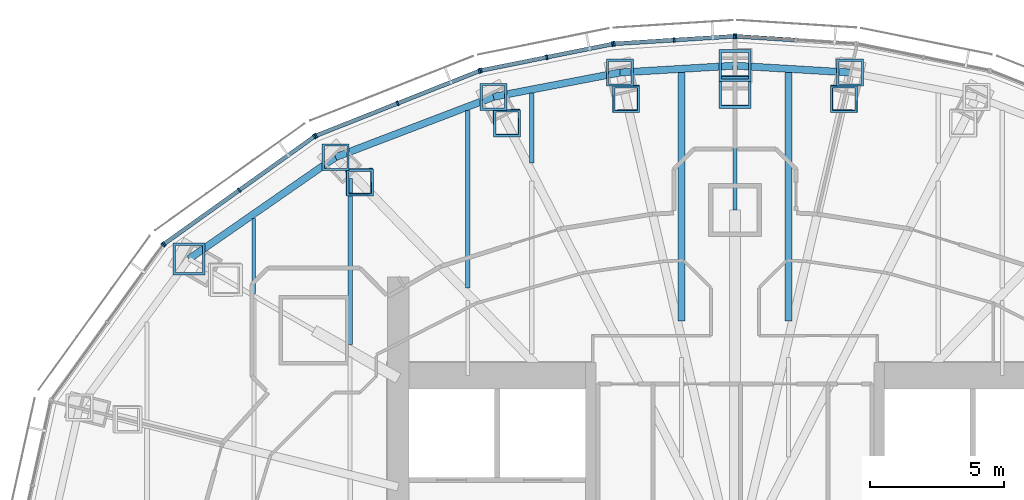
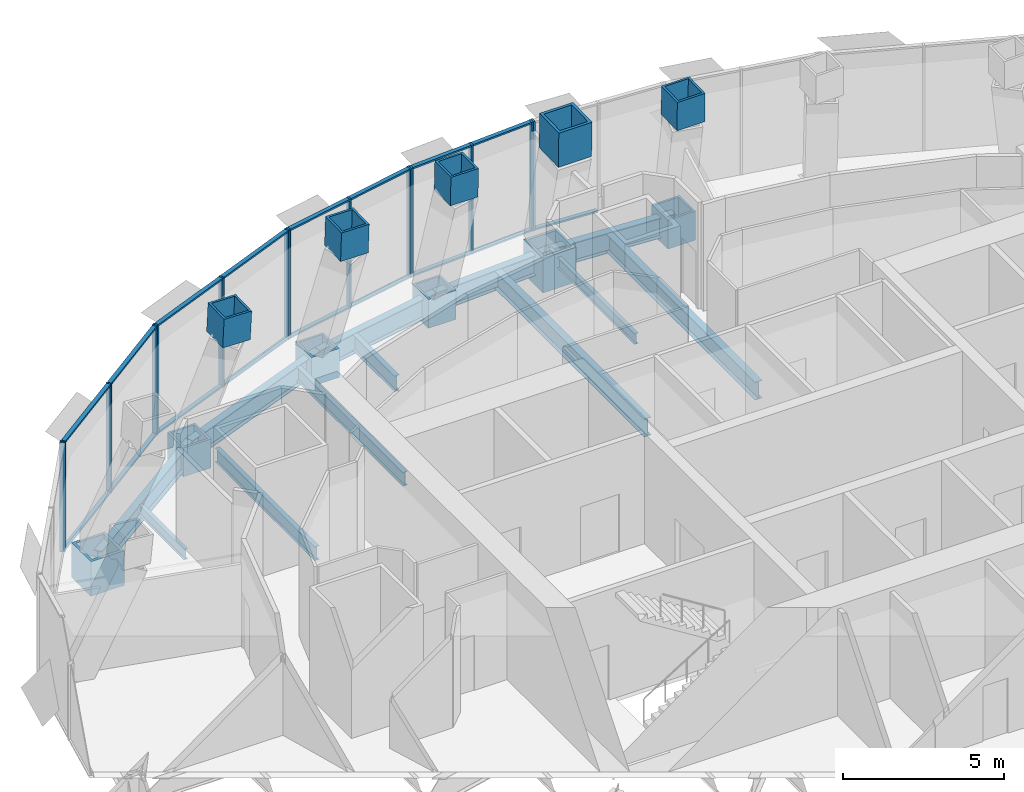
# One storey, part 8 of 18: 42 members, 12 beams, 6 elements without a shape of their own.
"""IFC4 building model written with IfcOpenShell, lengths in metres."""

from ifc_helpers import new_model, si_unit, direction, frame, origin, origin_2d, place, context, subcontext, project, spatial, rectangle, hollow_rectangle, i_section, extrude, material, material_profile, profile_set, type_object, element, aggregate, save


model = new_model("IFC4")

# Units and contexts
model_context = context("Model", 3, precision=1e-05, world=origin(), true_north=direction((0.0, 1.0)))
body_context = subcontext(model_context, "Body", "Model", "MODEL_VIEW")
ifc_project = project(units=[si_unit("LENGTHUNIT", "METRE"), si_unit("AREAUNIT", "SQUARE_METRE"), si_unit("VOLUMEUNIT", "CUBIC_METRE"), si_unit("PLANEANGLEUNIT", "RADIAN"), si_unit("MASSUNIT", "GRAM", prefix="KILO")], contexts=[model_context])

# Site, building, storey
site_placement = place(None, origin())
site = spatial("IfcSite", under=ifc_project, at=site_placement, CompositionType="ELEMENT")
building_placement = place(site_placement, origin())
building = spatial("IfcBuilding", under=site, at=building_placement, Name="Lantaw Convention Tower", CompositionType="ELEMENT")
storey_placement = place(building_placement, frame((0.0, 0.0, 266.199951171875)))
storey = spatial("IfcBuildingStorey", under=building, at=storey_placement, Name="L62", CompositionType="ELEMENT", Elevation=266.199951171875)

# Beams
ifc_material_1 = material(Name="Steel ASTM A992", Category="steel")
ifc_material_profile_1 = material_profile(ifc_material_1, i_section(OverallWidth=0.2666015625, OverallDepth=0.76953125, WebThickness=0.015625, FlangeThickness=0.025390625, FilletRadius=0.0126953125, at=origin_2d()), Name="W30X132")
ifc_profile_set_1 = profile_set([ifc_material_profile_1], Name="Steel ASTM A992")
beam_type_1 = type_object("IfcBeamType", Name="Beam E W30X132", PredefinedType="SPANDREL", material=ifc_profile_set_1)
for number, where, z_axis, x_axis, name in (
    (1, (4.303955078125, 18.64208984375, -0.53466796875), (-0.998210730897, 0.059794119452, 0.0), (-0.059794119452, -0.998210730897, 0.0), "Edge beam 6"),
    (2, (0.0, 18.89990234375, -0.53466796875), (-0.998210730897, -0.059794119452, 0.0), (0.059794119452, -0.998210730897, 0.0), "Edge beam 7"),
):
    element("IfcBeam", number, at=place(storey_placement, frame(where, z_axis=z_axis, x_axis=x_axis)), inside=storey, type_object=beam_type_1, Name=name, PredefinedType="SPANDREL", context=body_context, shape_type="SweptSolid", body=[
        extrude(i_section(OverallWidth=0.2666015625, OverallDepth=0.76953125, WebThickness=0.015625, FlangeThickness=0.025390625, FilletRadius=0.0126953125, at=origin_2d()), origin(), (0.0, 0.0, 1.0), 4.311767578125),
    ])
beam_1_placement = place(storey_placement, frame((-4.303955078125, 18.64208984375, -0.53466796875), z_axis=(-0.981972091702, -0.189025953556, 0.0), x_axis=(0.189025953556, -0.981972091702, 0.0)))
element("IfcBeam", 3, at=beam_1_placement, inside=storey, type_object=beam_type_1, Name="Edge beam 8", PredefinedType="SPANDREL", context=body_context, shape_type="SweptSolid", body=[
    extrude(i_section(OverallWidth=0.2666015625, OverallDepth=0.76953125, WebThickness=0.015625, FlangeThickness=0.025390625, FilletRadius=0.0126953125, at=origin_2d()), origin(), (0.0, 0.0, 1.0), 4.817626953125),
])
beam_2_placement = place(storey_placement, frame((-9.03466796875, 17.7314453125, -0.53466796875), z_axis=(-0.934234988, -0.356658081637, 0.0), x_axis=(0.356658081637, -0.934234988, 0.0)))
element("IfcBeam", 4, at=beam_2_placement, inside=storey, type_object=beam_type_1, Name="Edge beam 9", PredefinedType="SPANDREL", context=body_context, shape_type="SweptSolid", body=[
    extrude(i_section(OverallWidth=0.2666015625, OverallDepth=0.76953125, WebThickness=0.015625, FlangeThickness=0.025390625, FilletRadius=0.0126953125, at=origin_2d()), origin(), (0.0, 0.0, 1.0), 6.32568359375),
])
beam_3_placement = place(storey_placement, frame((-14.9443359375, 15.475341796875, -0.53466796875), z_axis=(-0.82135329406, -0.570419815869, 0.0), x_axis=(0.570419815869, -0.82135329406, 0.0)))
element("IfcBeam", 5, at=beam_3_placement, inside=storey, type_object=beam_type_1, Name="Edge beam 10", PredefinedType="SPANDREL", context=body_context, shape_type="SweptSolid", body=[
    extrude(i_section(OverallWidth=0.2666015625, OverallDepth=0.76953125, WebThickness=0.015625, FlangeThickness=0.025390625, FilletRadius=0.0126953125, at=origin_2d()), origin(), (0.0, 0.0, 1.0), 6.67041015625),
])
ifc_material_profile_2 = material_profile(ifc_material_1, i_section(OverallWidth=0.140380859375, OverallDepth=0.40380859375, WebThickness=0.007080078125, FlangeThickness=0.01123046875, FilletRadius=0.01025390625, at=origin_2d()), Name="W16X31")
ifc_profile_set_2 = profile_set([ifc_material_profile_2], Name="Steel ASTM A992")
beam_type_2 = type_object("IfcBeamType", Name="Beam G W16X31", PredefinedType="BEAM", material=ifc_profile_set_2)
beam_4_placement = place(storey_placement, frame((0.0, 13.5, -0.351806640625), z_axis=(0.0, 1.0, 0.0), x_axis=(-1.0, 0.0, 0.0)))
element("IfcBeam", 6, at=beam_4_placement, inside=storey, type_object=beam_type_2, Name="Floor girder on ray 7", PredefinedType="BEAM", context=body_context, shape_type="SweptSolid", body=[
    extrude(i_section(OverallWidth=0.140380859375, OverallDepth=0.40380859375, WebThickness=0.007080078125, FlangeThickness=0.01123046875, FilletRadius=0.01025390625, at=origin_2d()), origin(), (0.0, 0.0, 1.0), 5.39990234375),
])
ifc_material_profile_3 = material_profile(ifc_material_1, i_section(OverallWidth=0.140380859375, OverallDepth=0.40380859375, WebThickness=0.007080078125, FlangeThickness=0.01123046875, FilletRadius=0.01025390625, at=origin_2d()), Name="W16X31")
ifc_profile_set_3 = profile_set([ifc_material_profile_3], Name="Steel ASTM A992")
beam_type_3 = type_object("IfcBeamType", Name="Beam J W16X31", PredefinedType="JOIST", material=ifc_profile_set_3)
beam_5_placement = place(storey_placement, frame((-18.0, 10.380859375, -0.351806640625), z_axis=(0.0, 1.0, 0.0), x_axis=(-1.0, 0.0, 0.0)))
element("IfcBeam", 7, at=beam_5_placement, inside=storey, type_object=beam_type_3, Name="Floor joist", PredefinedType="JOIST", context=body_context, shape_type="SweptSolid", body=[
    extrude(i_section(OverallWidth=0.140380859375, OverallDepth=0.40380859375, WebThickness=0.007080078125, FlangeThickness=0.01123046875, FilletRadius=0.01025390625, at=origin_2d()), origin(), (0.0, 0.0, 1.0), 2.81005859375),
])
ifc_material_profile_4 = material_profile(ifc_material_1, i_section(OverallWidth=0.1650390625, OverallDepth=0.52587890625, WebThickness=0.0087890625, FlangeThickness=0.011474609375, FilletRadius=0.0126953125, at=origin_2d()), Name="W21X44")
ifc_profile_set_4 = profile_set([ifc_material_profile_4], Name="Steel ASTM A992")
beam_type_4 = type_object("IfcBeamType", Name="Beam J W21X44", PredefinedType="JOIST", material=ifc_profile_set_4)
beam_6_placement = place(storey_placement, frame((-14.39990234375, 8.461181640625, -0.412841796875), z_axis=(0.0, 1.0, 0.0), x_axis=(-1.0, 0.0, 0.0)))
element("IfcBeam", 8, at=beam_6_placement, inside=storey, type_object=beam_type_4, Name="Floor joist", PredefinedType="JOIST", context=body_context, shape_type="SweptSolid", body=[
    extrude(i_section(OverallWidth=0.1650390625, OverallDepth=0.52587890625, WebThickness=0.0087890625, FlangeThickness=0.011474609375, FilletRadius=0.0126953125, at=origin_2d()), origin(), (0.0, 0.0, 1.0), 6.214599609375),
])
beam_7_placement = place(storey_placement, frame((-10.0, 10.591064453125, -0.412841796875), z_axis=(0.0, 1.0, 0.0), x_axis=(-1.0, 0.0, 0.0)))
element("IfcBeam", 9, at=beam_7_placement, inside=storey, type_object=beam_type_4, Name="Floor joist", PredefinedType="JOIST", context=body_context, shape_type="SweptSolid", body=[
    extrude(i_section(OverallWidth=0.1650390625, OverallDepth=0.52587890625, WebThickness=0.0087890625, FlangeThickness=0.011474609375, FilletRadius=0.0126953125, at=origin_2d()), origin(), (0.0, 0.0, 1.0), 6.629150390625),
])
ifc_material_profile_5 = material_profile(ifc_material_1, i_section(OverallWidth=0.177978515625, OverallDepth=0.599365234375, WebThickness=0.010009765625, FlangeThickness=0.012939453125, FilletRadius=0.012939453125, at=origin_2d()), Name="W24X55")
ifc_profile_set_5 = profile_set([ifc_material_profile_5], Name="Steel ASTM A992")
beam_type_5 = type_object("IfcBeamType", Name="Beam J W24X55", PredefinedType="JOIST", material=ifc_profile_set_5)
beam_8_placement = place(storey_placement, frame((-7.60009765625, 15.25439453125, -0.44970703125), z_axis=(0.0, 1.0, 0.0), x_axis=(-1.0, 0.0, 0.0)))
element("IfcBeam", 10, at=beam_8_placement, inside=storey, type_object=beam_type_5, Name="Floor joist", PredefinedType="JOIST", context=body_context, shape_type="SweptSolid", body=[
    extrude(i_section(OverallWidth=0.177978515625, OverallDepth=0.599365234375, WebThickness=0.010009765625, FlangeThickness=0.012939453125, FilletRadius=0.012939453125, at=origin_2d()), origin(), (0.0, 0.0, 1.0), 2.617431640625),
])
ifc_material_profile_6 = material_profile(ifc_material_1, i_section(OverallWidth=0.25390625, OverallDepth=0.683349609375, WebThickness=0.012451171875, FlangeThickness=0.01904296875, FilletRadius=0.01513671875, at=origin_2d()), Name="W27X94")
ifc_profile_set_6 = profile_set([ifc_material_profile_6], Name="Steel ASTM A992")
beam_type_6 = type_object("IfcBeamType", Name="Beam J W27X94", PredefinedType="JOIST", material=ifc_profile_set_6)
for number, where, z_axis, x_axis, name in (
    (11, (-2.0, 9.34619140625, -0.49169921875), (0.0, 1.0, 0.0), (-1.0, 0.0, 0.0), "Floor joist"),
    (12, (2.0, 9.34619140625, -0.49169921875), (0.0, 1.0, 0.0), (-1.0, 0.0, 0.0), "Floor joist"),
):
    element("IfcBeam", number, at=place(storey_placement, frame(where, z_axis=z_axis, x_axis=x_axis)), inside=storey, type_object=beam_type_6, Name=name, PredefinedType="JOIST", context=body_context, shape_type="SweptSolid", body=[
        extrude(i_section(OverallWidth=0.25390625, OverallDepth=0.683349609375, WebThickness=0.012451171875, FlangeThickness=0.01904296875, FilletRadius=0.01513671875, at=origin_2d()), origin(), (0.0, 0.0, 1.0), 9.30029296875),
    ])

# Curtain wall, member
ifc_material_2 = material(Name="Aluminium framed curtain wall", Category="aluminium")
curtain_wall_type = type_object("IfcCurtainWallType", Name="Office curtain wall high rise, pale aluminium", PredefinedType="USERDEFINED", material=ifc_material_2)
curtain_wall_1_placement = place(storey_placement, origin())
curtain_wall_1 = element("IfcCurtainWall", 13, at=curtain_wall_1_placement, inside=storey, type_object=curtain_wall_type, Name="Office curtain wall high rise, pale aluminium L62", ObjectType="UNITISED CURTAIN WALL", PredefinedType="USERDEFINED")
ifc_material_3 = material(Name="Aluminium 6063-T6", Category="aluminium")
ifc_material_profile_7 = material_profile(ifc_material_3, rectangle(XDim=0.179931640625, YDim=0.06494140625, at=origin_2d()), Name="CW-O2 mullion 65x180")
ifc_profile_set_7 = profile_set([ifc_material_profile_7], Name="Aluminium 6063-T6")
member_type_1 = type_object("IfcMemberType", Name="CW-O2 mullion 65x180", PredefinedType="MULLION", material=ifc_profile_set_7)
member_1_placement = place(storey_placement, frame((0.032470703125, 19.998046875, -0.14990234375), z_axis=(0.0, 0.0, 1.0), x_axis=(-0.062757983884, -0.998028774865, 0.0)))
member_1 = element("IfcMember", 14, at=member_1_placement, type_object=member_type_1, Name="CW-O2 mullion 3", PredefinedType="MULLION", context=body_context, shape_type="SweptSolid", body=[
    extrude(rectangle(XDim=0.179931640625, YDim=0.06494140625, at=origin_2d()), origin(), (0.0, 0.0, 1.0), 4.14990234375),
])

# Curtain wall, members
curtain_wall_2_placement = place(storey_placement, origin())
curtain_wall_2 = element("IfcCurtainWall", 15, at=curtain_wall_2_placement, inside=storey, type_object=curtain_wall_type, Name="Office curtain wall high rise, pale aluminium L62", ObjectType="UNITISED CURTAIN WALL", PredefinedType="USERDEFINED")
member_2_placement = place(storey_placement, frame((-0.032470703125, 19.998046875, -0.14990234375), z_axis=(0.0, 0.0, 1.0), x_axis=(0.062757983884, -0.998028774865, 0.0)))
member_2 = element("IfcMember", 16, at=member_2_placement, type_object=member_type_1, Name="CW-O2 mullion 1", PredefinedType="MULLION", context=body_context, shape_type="SweptSolid", body=[
    extrude(rectangle(XDim=0.179931640625, YDim=0.06494140625, at=origin_2d()), origin(), (0.0, 0.0, 1.0), 4.14990234375),
])
member_3_placement = place(storey_placement, frame((-2.275634765625, 19.85693359375, -0.14990234375), z_axis=(0.0, 0.0, 1.0), x_axis=(0.062757983884, -0.998028774865, 0.0)))
member_3 = element("IfcMember", 17, at=member_3_placement, type_object=member_type_1, Name="CW-O2 mullion 2", PredefinedType="MULLION", context=body_context, shape_type="SweptSolid", body=[
    extrude(rectangle(XDim=0.179931640625, YDim=0.06494140625, at=origin_2d()), origin(), (0.0, 0.0, 1.0), 4.14990234375),
])
member_4_placement = place(storey_placement, frame((-4.518798828125, 19.7158203125, -0.14990234375), z_axis=(0.0, 0.0, 1.0), x_axis=(0.062757983884, -0.998028774865, 0.0)))
member_4 = element("IfcMember", 18, at=member_4_placement, type_object=member_type_1, Name="CW-O2 mullion 3", PredefinedType="MULLION", context=body_context, shape_type="SweptSolid", body=[
    extrude(rectangle(XDim=0.179931640625, YDim=0.06494140625, at=origin_2d()), origin(), (0.0, 0.0, 1.0), 4.14990234375),
])

curtain_wall_3_placement = place(storey_placement, origin())
curtain_wall_3 = element("IfcCurtainWall", 19, at=curtain_wall_3_placement, inside=storey, type_object=curtain_wall_type, Name="Office curtain wall high rise, pale aluminium L62", ObjectType="UNITISED CURTAIN WALL", PredefinedType="USERDEFINED")
member_5_placement = place(storey_placement, frame((-4.583251953125, 19.70751953125, -0.14990234375), z_axis=(0.0, 0.0, 1.0), x_axis=(0.197183095987, -0.980366679695, 0.0)))
member_5 = element("IfcMember", 20, at=member_5_placement, type_object=member_type_1, Name="CW-O2 mullion 1", PredefinedType="MULLION", context=body_context, shape_type="SweptSolid", body=[
    extrude(rectangle(XDim=0.179931640625, YDim=0.06494140625, at=origin_2d()), origin(), (0.0, 0.0, 1.0), 4.14990234375),
])
member_6_placement = place(storey_placement, frame((-7.042724609375, 19.212646484375, -0.14990234375), z_axis=(0.0, 0.0, 1.0), x_axis=(0.197183095987, -0.980366679695, 0.0)))
member_6 = element("IfcMember", 21, at=member_6_placement, type_object=member_type_1, Name="CW-O2 mullion 2", PredefinedType="MULLION", context=body_context, shape_type="SweptSolid", body=[
    extrude(rectangle(XDim=0.179931640625, YDim=0.06494140625, at=origin_2d()), origin(), (0.0, 0.0, 1.0), 4.14990234375),
])
member_7_placement = place(storey_placement, frame((-9.502197265625, 18.718017578125, -0.14990234375), z_axis=(0.0, 0.0, 1.0), x_axis=(0.197183095987, -0.980366679695, 0.0)))
member_7 = element("IfcMember", 22, at=member_7_placement, type_object=member_type_1, Name="CW-O2 mullion 3", PredefinedType="MULLION", context=body_context, shape_type="SweptSolid", body=[
    extrude(rectangle(XDim=0.179931640625, YDim=0.06494140625, at=origin_2d()), origin(), (0.0, 0.0, 1.0), 4.14990234375),
])

curtain_wall_4_placement = place(storey_placement, origin())
curtain_wall_4 = element("IfcCurtainWall", 23, at=curtain_wall_4_placement, inside=storey, type_object=curtain_wall_type, Name="Office curtain wall high rise, pale aluminium L62", ObjectType="UNITISED CURTAIN WALL", PredefinedType="USERDEFINED")
member_8_placement = place(storey_placement, frame((-9.564208984375, 18.69970703125, -0.14990234375), z_axis=(0.0, 0.0, 1.0), x_axis=(0.368162315252, -0.929761533743, 0.0)))
member_8 = element("IfcMember", 24, at=member_8_placement, type_object=member_type_1, Name="CW-O2 mullion 1", PredefinedType="MULLION", context=body_context, shape_type="SweptSolid", body=[
    extrude(rectangle(XDim=0.179931640625, YDim=0.06494140625, at=origin_2d()), origin(), (0.0, 0.0, 1.0), 4.14990234375),
])
member_9_placement = place(storey_placement, frame((-12.621337890625, 17.4892578125, -0.14990234375), z_axis=(0.0, 0.0, 1.0), x_axis=(0.368162315252, -0.929761533743, 0.0)))
member_9 = element("IfcMember", 25, at=member_9_placement, type_object=member_type_1, Name="CW-O2 mullion 2", PredefinedType="MULLION", context=body_context, shape_type="SweptSolid", body=[
    extrude(rectangle(XDim=0.179931640625, YDim=0.06494140625, at=origin_2d()), origin(), (0.0, 0.0, 1.0), 4.14990234375),
])
member_10_placement = place(storey_placement, frame((-15.67822265625, 16.278564453125, -0.14990234375), z_axis=(0.0, 0.0, 1.0), x_axis=(0.368162315252, -0.929761533743, 0.0)))
member_10 = element("IfcMember", 26, at=member_10_placement, type_object=member_type_1, Name="CW-O2 mullion 3", PredefinedType="MULLION", context=body_context, shape_type="SweptSolid", body=[
    extrude(rectangle(XDim=0.179931640625, YDim=0.06494140625, at=origin_2d()), origin(), (0.0, 0.0, 1.0), 4.14990234375),
])

curtain_wall_5_placement = place(storey_placement, origin())
curtain_wall_5 = element("IfcCurtainWall", 27, at=curtain_wall_5_placement, inside=storey, type_object=curtain_wall_type, Name="Office curtain wall high rise, pale aluminium L62", ObjectType="UNITISED CURTAIN WALL", PredefinedType="USERDEFINED")
member_11_placement = place(storey_placement, frame((-15.73486328125, 16.247802734375, -0.14990234375), z_axis=(0.0, 0.0, 1.0), x_axis=(0.581323487281, -0.813672540482, 0.0)))
member_11 = element("IfcMember", 28, at=member_11_placement, type_object=member_type_1, Name="CW-O2 mullion 1", PredefinedType="MULLION", context=body_context, shape_type="SweptSolid", body=[
    extrude(rectangle(XDim=0.179931640625, YDim=0.06494140625, at=origin_2d()), origin(), (0.0, 0.0, 1.0), 4.14990234375),
])
member_12_placement = place(storey_placement, frame((-18.543212890625, 14.241455078125, -0.14990234375), z_axis=(0.0, 0.0, 1.0), x_axis=(0.581323487281, -0.813672540482, 0.0)))
member_12 = element("IfcMember", 29, at=member_12_placement, type_object=member_type_1, Name="CW-O2 mullion 2", PredefinedType="MULLION", context=body_context, shape_type="SweptSolid", body=[
    extrude(rectangle(XDim=0.179931640625, YDim=0.06494140625, at=origin_2d()), origin(), (0.0, 0.0, 1.0), 4.14990234375),
])
member_13_placement = place(storey_placement, frame((-21.3515625, 12.23486328125, -0.14990234375), z_axis=(0.0, 0.0, 1.0), x_axis=(0.581323487281, -0.813672540482, 0.0)))
member_13 = element("IfcMember", 30, at=member_13_placement, type_object=member_type_1, Name="CW-O2 mullion 3", PredefinedType="MULLION", context=body_context, shape_type="SweptSolid", body=[
    extrude(rectangle(XDim=0.179931640625, YDim=0.06494140625, at=origin_2d()), origin(), (0.0, 0.0, 1.0), 4.14990234375),
])

# Curtain wall, member
curtain_wall_6_placement = place(storey_placement, origin())
curtain_wall_6 = element("IfcCurtainWall", 31, at=curtain_wall_6_placement, inside=storey, type_object=curtain_wall_type, Name="Office curtain wall high rise, pale aluminium L62", ObjectType="UNITISED CURTAIN WALL", PredefinedType="USERDEFINED")
member_14_placement = place(storey_placement, frame((-21.397216796875, 12.189697265625, -0.14990234375), z_axis=(0.0, 0.0, 1.0), x_axis=(0.810919559405, -0.585157643865, 0.0)))
member_14 = element("IfcMember", 32, at=member_14_placement, type_object=member_type_1, Name="CW-O2 mullion 1", PredefinedType="MULLION", context=body_context, shape_type="SweptSolid", body=[
    extrude(rectangle(XDim=0.179931640625, YDim=0.06494140625, at=origin_2d()), origin(), (0.0, 0.0, 1.0), 4.14990234375),
])
aggregate(curtain_wall_6, [member_14])

# Member
ifc_material_profile_8 = material_profile(ifc_material_3, rectangle(XDim=0.14990234375, YDim=0.06494140625, at=origin_2d()), Name="CW-O2 transom 65x150")
ifc_profile_set_8 = profile_set([ifc_material_profile_8], Name="Aluminium 6063-T6")
member_type_2 = type_object("IfcMemberType", Name="CW-O2 transom 65x150", PredefinedType="USERDEFINED", material=ifc_profile_set_8)
member_15_placement = place(storey_placement, frame((2.2431640625, 19.85888671875, -0.117431640625), z_axis=(-0.998029003644, 0.062754345555, 0.0), x_axis=(-0.062754345555, -0.998029003644, 0.0)))
member_15 = element("IfcMember", 33, at=member_15_placement, type_object=member_type_2, Name="CW-O2 transom 2.1", ObjectType="TRANSOM", PredefinedType="USERDEFINED", context=body_context, shape_type="SweptSolid", body=[
    extrude(rectangle(XDim=0.14990234375, YDim=0.06494140625, at=origin_2d()), origin(), (0.0, 0.0, 1.0), 2.1826171875),
])

aggregate(curtain_wall_1, [member_1, member_15])

member_16_placement = place(storey_placement, frame((-0.06494140625, 19.995849609375, -0.117431640625), z_axis=(-0.998029003644, -0.062754345555, 0.0), x_axis=(0.062754345555, -0.998029003644, 0.0)))
member_16 = element("IfcMember", 34, at=member_16_placement, type_object=member_type_2, Name="CW-O2 transom 1.1", ObjectType="TRANSOM", PredefinedType="USERDEFINED", context=body_context, shape_type="SweptSolid", body=[
    extrude(rectangle(XDim=0.14990234375, YDim=0.06494140625, at=origin_2d()), origin(), (0.0, 0.0, 1.0), 2.1826171875),
])

member_17_placement = place(storey_placement, frame((-0.06494140625, 19.995849609375, 3.967529296875), z_axis=(-0.998029003644, -0.062754345555, 0.0), x_axis=(0.062754345555, -0.998029003644, 0.0)))
member_17 = element("IfcMember", 35, at=member_17_placement, type_object=member_type_2, Name="CW-O2 transom 1.2", ObjectType="TRANSOM", PredefinedType="USERDEFINED", context=body_context, shape_type="SweptSolid", body=[
    extrude(rectangle(XDim=0.14990234375, YDim=0.06494140625, at=origin_2d()), origin(), (0.0, 0.0, 1.0), 2.1826171875),
])

member_18_placement = place(storey_placement, frame((-2.30810546875, 19.85498046875, -0.117431640625), z_axis=(-0.998021991509, -0.062865765437, 0.0), x_axis=(0.062865765437, -0.998021991509, 0.0)))
member_18 = element("IfcMember", 36, at=member_18_placement, type_object=member_type_2, Name="CW-O2 transom 2.1", ObjectType="TRANSOM", PredefinedType="USERDEFINED", context=body_context, shape_type="SweptSolid", body=[
    extrude(rectangle(XDim=0.14990234375, YDim=0.06494140625, at=origin_2d()), origin(), (0.0, 0.0, 1.0), 2.1826171875),
])

member_19_placement = place(storey_placement, frame((-2.30810546875, 19.85498046875, 3.967529296875), z_axis=(-0.998021991509, -0.062865765437, 0.0), x_axis=(0.062865765437, -0.998021991509, 0.0)))
member_19 = element("IfcMember", 37, at=member_19_placement, type_object=member_type_2, Name="CW-O2 transom 2.2", ObjectType="TRANSOM", PredefinedType="USERDEFINED", context=body_context, shape_type="SweptSolid", body=[
    extrude(rectangle(XDim=0.14990234375, YDim=0.06494140625, at=origin_2d()), origin(), (0.0, 0.0, 1.0), 2.1826171875),
])

aggregate(curtain_wall_2, [member_2, member_3, member_4, member_16, member_17, member_18, member_19])

member_20_placement = place(storey_placement, frame((-4.614990234375, 19.700927734375, -0.117431640625), z_axis=(-0.980380354178, -0.197115096178, 0.0), x_axis=(0.197115096178, -0.980380354178, 0.0)))
member_20 = element("IfcMember", 38, at=member_20_placement, type_object=member_type_2, Name="CW-O2 transom 1.1", ObjectType="TRANSOM", PredefinedType="USERDEFINED", context=body_context, shape_type="SweptSolid", body=[
    extrude(rectangle(XDim=0.14990234375, YDim=0.06494140625, at=origin_2d()), origin(), (0.0, 0.0, 1.0), 2.443603515625),
])

member_21_placement = place(storey_placement, frame((-4.614990234375, 19.700927734375, 3.967529296875), z_axis=(-0.980380354178, -0.197115096178, 0.0), x_axis=(0.197115096178, -0.980380354178, 0.0)))
member_21 = element("IfcMember", 39, at=member_21_placement, type_object=member_type_2, Name="CW-O2 transom 1.2", ObjectType="TRANSOM", PredefinedType="USERDEFINED", context=body_context, shape_type="SweptSolid", body=[
    extrude(rectangle(XDim=0.14990234375, YDim=0.06494140625, at=origin_2d()), origin(), (0.0, 0.0, 1.0), 2.443603515625),
])

member_22_placement = place(storey_placement, frame((-7.074462890625, 19.206298828125, -0.117431640625), z_axis=(-0.98036104319, -0.197211117829, 0.0), x_axis=(0.197211117829, -0.98036104319, 0.0)))
member_22 = element("IfcMember", 40, at=member_22_placement, type_object=member_type_2, Name="CW-O2 transom 2.1", ObjectType="TRANSOM", PredefinedType="USERDEFINED", context=body_context, shape_type="SweptSolid", body=[
    extrude(rectangle(XDim=0.14990234375, YDim=0.06494140625, at=origin_2d()), origin(), (0.0, 0.0, 1.0), 2.44384765625),
])

member_23_placement = place(storey_placement, frame((-7.074462890625, 19.206298828125, 3.967529296875), z_axis=(-0.98036104319, -0.197211117829, 0.0), x_axis=(0.197211117829, -0.98036104319, 0.0)))
member_23 = element("IfcMember", 41, at=member_23_placement, type_object=member_type_2, Name="CW-O2 transom 2.2", ObjectType="TRANSOM", PredefinedType="USERDEFINED", context=body_context, shape_type="SweptSolid", body=[
    extrude(rectangle(XDim=0.14990234375, YDim=0.06494140625, at=origin_2d()), origin(), (0.0, 0.0, 1.0), 2.44384765625),
])

aggregate(curtain_wall_3, [member_5, member_6, member_7, member_20, member_21, member_22, member_23])

member_24_placement = place(storey_placement, frame((-9.594482421875, 18.687744140625, -0.117431640625), z_axis=(-0.929766642946, -0.368149412149, 0.0), x_axis=(0.368149412149, -0.929766642946, 0.0)))
member_24 = element("IfcMember", 42, at=member_24_placement, type_object=member_type_2, Name="CW-O2 transom 1.1", ObjectType="TRANSOM", PredefinedType="USERDEFINED", context=body_context, shape_type="SweptSolid", body=[
    extrude(rectangle(XDim=0.14990234375, YDim=0.06494140625, at=origin_2d()), origin(), (0.0, 0.0, 1.0), 3.222900390625),
])

member_25_placement = place(storey_placement, frame((-9.594482421875, 18.687744140625, 3.967529296875), z_axis=(-0.929766642946, -0.368149412149, 0.0), x_axis=(0.368149412149, -0.929766642946, 0.0)))
member_25 = element("IfcMember", 43, at=member_25_placement, type_object=member_type_2, Name="CW-O2 transom 1.2", ObjectType="TRANSOM", PredefinedType="USERDEFINED", context=body_context, shape_type="SweptSolid", body=[
    extrude(rectangle(XDim=0.14990234375, YDim=0.06494140625, at=origin_2d()), origin(), (0.0, 0.0, 1.0), 3.222900390625),
])

member_26_placement = place(storey_placement, frame((-12.651611328125, 17.477294921875, -0.117431640625), z_axis=(-0.929740712354, -0.368214893495, 0.0), x_axis=(0.368214893495, -0.929740712354, 0.0)))
member_26 = element("IfcMember", 44, at=member_26_placement, type_object=member_type_2, Name="CW-O2 transom 2.1", ObjectType="TRANSOM", PredefinedType="USERDEFINED", context=body_context, shape_type="SweptSolid", body=[
    extrude(rectangle(XDim=0.14990234375, YDim=0.06494140625, at=origin_2d()), origin(), (0.0, 0.0, 1.0), 3.22314453125),
])

member_27_placement = place(storey_placement, frame((-12.651611328125, 17.477294921875, 3.967529296875), z_axis=(-0.929740712354, -0.368214893495, 0.0), x_axis=(0.368214893495, -0.929740712354, 0.0)))
member_27 = element("IfcMember", 45, at=member_27_placement, type_object=member_type_2, Name="CW-O2 transom 2.2", ObjectType="TRANSOM", PredefinedType="USERDEFINED", context=body_context, shape_type="SweptSolid", body=[
    extrude(rectangle(XDim=0.14990234375, YDim=0.06494140625, at=origin_2d()), origin(), (0.0, 0.0, 1.0), 3.22314453125),
])

aggregate(curtain_wall_4, [member_8, member_9, member_10, member_24, member_25, member_26, member_27])

member_28_placement = place(storey_placement, frame((-15.761474609375, 16.22900390625, -0.117431640625), z_axis=(-0.813645780821, -0.581360940683, 0.0), x_axis=(0.581360940683, -0.813645780821, 0.0)))
member_28 = element("IfcMember", 46, at=member_28_placement, type_object=member_type_2, Name="CW-O2 transom 1.1", ObjectType="TRANSOM", PredefinedType="USERDEFINED", context=body_context, shape_type="SweptSolid", body=[
    extrude(rectangle(XDim=0.14990234375, YDim=0.06494140625, at=origin_2d()), origin(), (0.0, 0.0, 1.0), 3.386474609375),
])

member_29_placement = place(storey_placement, frame((-15.761474609375, 16.22900390625, 3.967529296875), z_axis=(-0.813645780821, -0.581360940683, 0.0), x_axis=(0.581360940683, -0.813645780821, 0.0)))
member_29 = element("IfcMember", 47, at=member_29_placement, type_object=member_type_2, Name="CW-O2 transom 1.2", ObjectType="TRANSOM", PredefinedType="USERDEFINED", context=body_context, shape_type="SweptSolid", body=[
    extrude(rectangle(XDim=0.14990234375, YDim=0.06494140625, at=origin_2d()), origin(), (0.0, 0.0, 1.0), 3.386474609375),
])

member_30_placement = place(storey_placement, frame((-18.56982421875, 14.222412109375, -0.117431640625), z_axis=(-0.813679882592, -0.581313210468, 0.0), x_axis=(0.581313210468, -0.813679882592, 0.0)))
member_30 = element("IfcMember", 48, at=member_30_placement, type_object=member_type_2, Name="CW-O2 transom 2.1", ObjectType="TRANSOM", PredefinedType="USERDEFINED", context=body_context, shape_type="SweptSolid", body=[
    extrude(rectangle(XDim=0.14990234375, YDim=0.06494140625, at=origin_2d()), origin(), (0.0, 0.0, 1.0), 3.38623046875),
])

member_31_placement = place(storey_placement, frame((-18.56982421875, 14.222412109375, 3.967529296875), z_axis=(-0.813679882592, -0.581313210468, 0.0), x_axis=(0.581313210468, -0.813679882592, 0.0)))
member_31 = element("IfcMember", 49, at=member_31_placement, type_object=member_type_2, Name="CW-O2 transom 2.2", ObjectType="TRANSOM", PredefinedType="USERDEFINED", context=body_context, shape_type="SweptSolid", body=[
    extrude(rectangle(XDim=0.14990234375, YDim=0.06494140625, at=origin_2d()), origin(), (0.0, 0.0, 1.0), 3.38623046875),
])

aggregate(curtain_wall_5, [member_11, member_12, member_13, member_28, member_29, member_30, member_31])

# Members
ifc_material_4 = material(Name="Cast steel ASTM A148 Grade 80-50", Category="steel")
ifc_material_profile_9 = material_profile(ifc_material_4, hollow_rectangle(XDim=1.0, YDim=1.0, WallThickness=0.080078125, at=origin_2d()), Name="BOX1000X80")
ifc_profile_set_9 = profile_set([ifc_material_profile_9], Name="Cast steel ASTM A148 Grade 80-50")
member_type_3 = type_object("IfcMemberType", Name="Member CN BOX1000X80", PredefinedType="USERDEFINED", material=ifc_profile_set_9)
member_32_placement = place(storey_placement, frame((4.303955078125, 18.64208984375, -1.099853515625), z_axis=(0.0, 0.0, 1.0), x_axis=(1.0, 0.0, 0.0)))
element("IfcMember", 50, at=member_32_placement, inside=storey, type_object=member_type_3, Name="Cast steel column node", ObjectType="COLUMN NODE", PredefinedType="USERDEFINED", context=body_context, shape_type="SweptSolid", body=[
    extrude(hollow_rectangle(XDim=1.0, YDim=1.0, WallThickness=0.080078125, at=origin_2d()), origin(), (0.0, 0.0, 1.0), 1.099853515625),
])
member_33_placement = place(storey_placement, frame((4.079833984375, 17.67138671875, 4.078369140625), z_axis=(-0.006211651318, -0.0263995181, 0.999632172768), x_axis=(0.999971902648, -0.004358948699, 0.00609864589)))
element("IfcMember", 51, at=member_33_placement, inside=storey, type_object=member_type_3, Name="Cast steel column node", ObjectType="COLUMN NODE", PredefinedType="USERDEFINED", context=body_context, shape_type="SweptSolid", body=[
    extrude(hollow_rectangle(XDim=1.0, YDim=1.0, WallThickness=0.080078125, at=origin_2d()), origin(), (0.0, 0.0, 1.0), 1.1005859375),
])
member_34_placement = place(storey_placement, frame((-4.303955078125, 18.64208984375, -1.099853515625), z_axis=(0.0, 0.0, 1.0), x_axis=(1.0, 0.0, 0.0)))
element("IfcMember", 52, at=member_34_placement, inside=storey, type_object=member_type_3, Name="Cast steel column node", ObjectType="COLUMN NODE", PredefinedType="USERDEFINED", context=body_context, shape_type="SweptSolid", body=[
    extrude(hollow_rectangle(XDim=1.0, YDim=1.0, WallThickness=0.080078125, at=origin_2d()), origin(), (0.0, 0.0, 1.0), 1.099853515625),
])
member_35_placement = place(storey_placement, frame((-4.079833984375, 17.67138671875, 4.078369140625), z_axis=(0.006211651318, -0.0263995181, 0.999632172768), x_axis=(0.999971902648, 0.004358948699, -0.00609864589)))
element("IfcMember", 53, at=member_35_placement, inside=storey, type_object=member_type_3, Name="Cast steel column node", ObjectType="COLUMN NODE", PredefinedType="USERDEFINED", context=body_context, shape_type="SweptSolid", body=[
    extrude(hollow_rectangle(XDim=1.0, YDim=1.0, WallThickness=0.080078125, at=origin_2d()), origin(), (0.0, 0.0, 1.0), 1.1005859375),
])
member_36_placement = place(storey_placement, frame((-9.03466796875, 17.7314453125, -1.099853515625), z_axis=(0.0, 0.0, 1.0), x_axis=(1.0, 0.0, 0.0)))
element("IfcMember", 54, at=member_36_placement, inside=storey, type_object=member_type_3, Name="Cast steel column node", ObjectType="COLUMN NODE", PredefinedType="USERDEFINED", context=body_context, shape_type="SweptSolid", body=[
    extrude(hollow_rectangle(XDim=1.0, YDim=1.0, WallThickness=0.080078125, at=origin_2d()), origin(), (0.0, 0.0, 1.0), 1.099853515625),
])
member_37_placement = place(storey_placement, frame((-8.544189453125, 16.768798828125, 4.06884765625), z_axis=(0.014421183142, -0.028176773216, 0.999498923925), x_axis=(0.999894369533, 0.002216723787, -0.014364397358)))
element("IfcMember", 55, at=member_37_placement, inside=storey, type_object=member_type_3, Name="Cast steel column node", ObjectType="COLUMN NODE", PredefinedType="USERDEFINED", context=body_context, shape_type="SweptSolid", body=[
    extrude(hollow_rectangle(XDim=1.0, YDim=1.0, WallThickness=0.080078125, at=origin_2d()), origin(), (0.0, 0.0, 1.0), 1.100341796875),
])
member_38_placement = place(storey_placement, frame((-14.9443359375, 15.475341796875, -1.099853515625), z_axis=(0.0, 0.0, 1.0), x_axis=(1.0, 0.0, 0.0)))
element("IfcMember", 56, at=member_38_placement, inside=storey, type_object=member_type_3, Name="Cast steel column node", ObjectType="COLUMN NODE", PredefinedType="USERDEFINED", context=body_context, shape_type="SweptSolid", body=[
    extrude(hollow_rectangle(XDim=1.0, YDim=1.0, WallThickness=0.080078125, at=origin_2d()), origin(), (0.0, 0.0, 1.0), 1.099853515625),
])
member_39_placement = place(storey_placement, frame((-14.06103515625, 14.560546875, 4.047119140625), z_axis=(0.030375009285, -0.03126187087, 0.999049575467), x_axis=(0.999533854415, 0.00402119647, -0.03026390354)))
element("IfcMember", 57, at=member_39_placement, inside=storey, type_object=member_type_3, Name="Cast steel column node", ObjectType="COLUMN NODE", PredefinedType="USERDEFINED", context=body_context, shape_type="SweptSolid", body=[
    extrude(hollow_rectangle(XDim=1.0, YDim=1.0, WallThickness=0.080078125, at=origin_2d()), origin(), (0.0, 0.0, 1.0), 1.10107421875),
])
ifc_material_profile_10 = material_profile(ifc_material_4, hollow_rectangle(XDim=1.199951171875, YDim=1.199951171875, WallThickness=0.10009765625, at=origin_2d()), Name="BOX1200X100")
ifc_profile_set_10 = profile_set([ifc_material_profile_10], Name="Cast steel ASTM A148 Grade 80-50")
member_type_4 = type_object("IfcMemberType", Name="Member CN BOX1200X100", PredefinedType="USERDEFINED", material=ifc_profile_set_10)
member_40_placement = place(storey_placement, frame((0.0, 18.89990234375, -1.320068359375), z_axis=(0.0, 0.0, 1.0), x_axis=(1.0, 0.0, 0.0)))
element("IfcMember", 58, at=member_40_placement, inside=storey, type_object=member_type_4, Name="Cast steel column node", ObjectType="COLUMN NODE", PredefinedType="USERDEFINED", context=body_context, shape_type="SweptSolid", body=[
    extrude(hollow_rectangle(XDim=1.199951171875, YDim=1.199951171875, WallThickness=0.10009765625, at=origin_2d()), origin(), (0.0, 0.0, 1.0), 1.320068359375),
])
member_41_placement = place(storey_placement, frame((0.0, 17.933837890625, 4.05810546875), z_axis=(0.0, -0.025698925874, 0.999669728065), x_axis=(1.0, 0.0, 0.0)))
element("IfcMember", 59, at=member_41_placement, inside=storey, type_object=member_type_4, Name="Cast steel column node", ObjectType="COLUMN NODE", PredefinedType="USERDEFINED", context=body_context, shape_type="SweptSolid", body=[
    extrude(hollow_rectangle(XDim=1.199951171875, YDim=1.199951171875, WallThickness=0.10009765625, at=origin_2d()), origin(), (0.0, 0.0, 1.0), 1.320556640625),
])
member_42_placement = place(storey_placement, frame((-20.423095703125, 11.67041015625, -1.320068359375), z_axis=(0.0, 0.0, 1.0), x_axis=(1.0, 0.0, 0.0)))
element("IfcMember", 60, at=member_42_placement, inside=storey, type_object=member_type_4, Name="Cast steel column node", ObjectType="COLUMN NODE", PredefinedType="USERDEFINED", context=body_context, shape_type="SweptSolid", body=[
    extrude(hollow_rectangle(XDim=1.199951171875, YDim=1.199951171875, WallThickness=0.10009765625, at=origin_2d()), origin(), (0.0, 0.0, 1.0), 1.320068359375),
])

save(model, "model.ifc")
